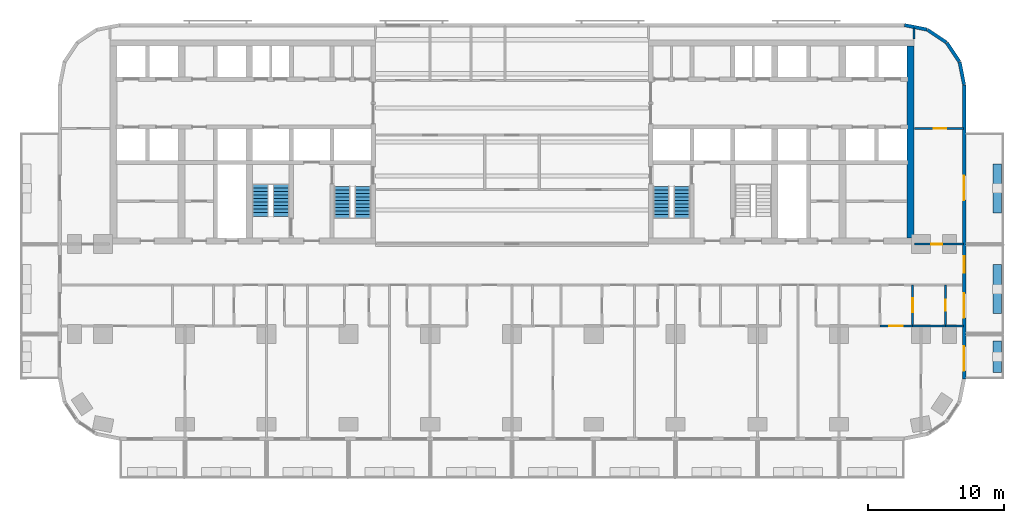
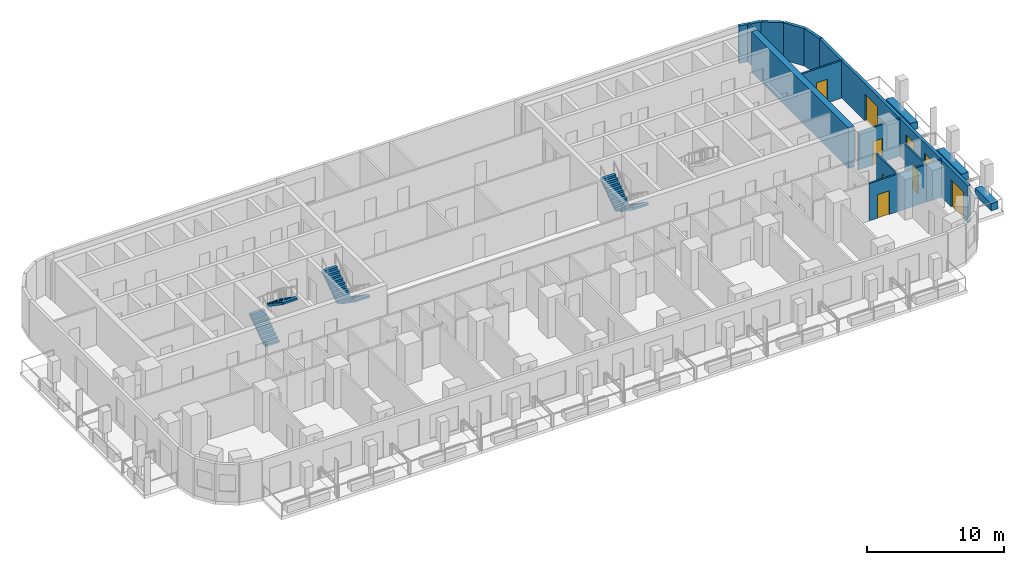
# One storey, part 9 of 15: 17 walls, 8 doors, 6 stair flights, 1 window, 9 openings, 3 elements without a shape of their own.
"""IFC4 building model written with IfcOpenShell, lengths in metres."""

from ifc_helpers import new_model, si_unit, direction, frame, frame_2d, origin, place, context, subcontext, project, spatial, polyline, rectangle, outline, extrude, material, layer, layer_set, type_object, element, fill, aggregate, save


model = new_model("IFC4")

# Units and contexts
model_context = context("Model", 3, precision=1e-05, world=origin(), true_north=direction((0.0, 1.0)))
body_context = subcontext(model_context, "Body", "Model", "MODEL_VIEW")
ifc_project = project(units=[si_unit("LENGTHUNIT", "METRE"), si_unit("AREAUNIT", "SQUARE_METRE"), si_unit("VOLUMEUNIT", "CUBIC_METRE"), si_unit("PLANEANGLEUNIT", "RADIAN"), si_unit("MASSUNIT", "GRAM", prefix="KILO")], contexts=[model_context])

# Site, building, storey
site_placement = place(None, origin())
site = spatial("IfcSite", under=ifc_project, at=site_placement, CompositionType="ELEMENT")
building_placement = place(site_placement, origin())
building = spatial("IfcBuilding", under=site, at=building_placement, Name="Torana Hotel and Residences", CompositionType="ELEMENT")
storey_placement = place(building_placement, frame((0.0, 0.0, 67.199951171875)))
storey = spatial("IfcBuildingStorey", under=building, at=storey_placement, Name="L16", CompositionType="ELEMENT", Elevation=67.199951171875)

# Walls
ifc_material_1 = material(Name="Concrete C80/95", Category="concrete")
ifc_layer_1 = layer(ifc_material_1, 0.5)
ifc_layer_set_1 = layer_set([ifc_layer_1], Name="CORE WALL 500 C80/95")
wall_type_1 = type_object("IfcWallType", Name="CORE WALL 500 C80/95", PredefinedType="SHEAR", material=ifc_layer_set_1)
wall_1_placement = place(storey_placement, frame((29.25, -14.550048828125, 0.0), z_axis=(0.0, 0.0, 1.0), x_axis=(0.0, 1.0, 0.0)))
element("IfcWall", 1, at=wall_1_placement, inside=storey, type_object=wall_type_1, Name="Core wall E outer", PredefinedType="SHEAR", context=body_context, shape_type="SweptSolid", body=[
    extrude(rectangle(XDim=14.10009765625, YDim=0.5, at=frame_2d((7.050048828125, 0.0))), origin(), (0.0, 0.0, 1.0), 3.60009765625),
])
ifc_material_2 = material(Name="Black aluminium composite panel", Category="aluminium")
ifc_layer_2 = layer(ifc_material_2, 0.00390625, Name="Cladding", Category="cladding")
ifc_material_3 = material(Name="Ventilated air cavity")
ifc_layer_3 = layer(ifc_material_3, 0.0400390625, Name="Ventilated cavity", Category="cavity")
ifc_material_4 = material(Name="Mineral wool insulation")
ifc_layer_4 = layer(ifc_material_4, 0.090087890625, Name="Insulation", Category="insulation")
ifc_material_5 = material(Name="Steel S280GD", Category="steel")
ifc_layer_5 = layer(ifc_material_5, 0.092041015625, Name="Steel stud frame", Category="structure")
ifc_material_6 = material(Name="Fire rated plasterboard")
ifc_layer_6 = layer(ifc_material_6, 0.011962890625, Name="Inner board", Category="finish")
ifc_layer_7 = layer(ifc_material_6, 0.011962890625, Name="Second board", Category="finish")
ifc_layer_set_2 = layer_set([ifc_layer_2, ifc_layer_3, ifc_layer_4, ifc_layer_5, ifc_layer_6, ifc_layer_7], Name="EW1 EXTERNAL WALL BLACK METAL CLAD 250")
wall_type_2 = type_object("IfcWallType", Name="EW1 EXTERNAL WALL BLACK METAL CLAD 250", PredefinedType="SOLIDWALL", material=ifc_layer_set_2)
wall_2_placement = place(storey_placement, frame((33.172607421875, -3.30029296875, 0.0), z_axis=(0.0, 0.0, 1.0), x_axis=(-0.19513878023, 0.980775640221, 0.0)))
element("IfcWall", 2, at=wall_2_placement, inside=storey, type_object=wall_type_2, Name="External wall L16 e0.0", PredefinedType="SOLIDWALL", context=body_context, shape_type="SweptSolid", body=[
    extrude(rectangle(XDim=1.681396484375, YDim=0.25, at=frame_2d((0.8408203125, 0.0))), origin(), (0.0, 0.0, 1.0), 3.320068359375),
])
for number, where, z_axis, x_axis, name in (
    (3, (32.825927734375, -1.60595703125, 0.0), (0.0, 0.0, 1.0), (-0.55555029066, 0.831482937015, 0.0), "External wall L16 e0.1"),
    (4, (31.87109375, -0.1943359375, 0.0), (0.0, 0.0, 1.0), (-0.831482937015, 0.55555029066, 0.0), "External wall L16 e0.2"),
):
    element("IfcWall", number, at=place(storey_placement, frame(where, z_axis=z_axis, x_axis=x_axis)), inside=storey, type_object=wall_type_2, Name=name, PredefinedType="SOLIDWALL", context=body_context, shape_type="SweptSolid", body=[
        extrude(rectangle(XDim=1.65625, YDim=0.25, at=frame_2d((0.828125, 0.0))), origin(), (0.0, 0.0, 1.0), 3.320068359375),
    ])
wall_3_placement = place(storey_placement, frame((30.448974609375, 0.74462890625, 0.0), z_axis=(0.0, 0.0, 1.0), x_axis=(-0.980803419081, 0.194999110559, 0.0)))
element("IfcWall", 5, at=wall_3_placement, inside=storey, type_object=wall_type_2, Name="External wall L16 e0.3", PredefinedType="SOLIDWALL", context=body_context, shape_type="SweptSolid", body=[
    extrude(rectangle(XDim=1.681396484375, YDim=0.25, at=frame_2d((0.8408203125, 0.0))), origin(), (0.0, 0.0, 1.0), 3.320068359375),
])

# Wall, openings, doors, window
wall_4_placement = place(storey_placement, frame((33.175048828125, -24.87548828125, 0.0), z_axis=(0.0, 0.0, 1.0), x_axis=(0.0, 1.0, 0.0)))
wall_4 = element("IfcWall", 6, at=wall_4_placement, inside=storey, type_object=wall_type_2, Name="External wall L16 e0.19", PredefinedType="SOLIDWALL", context=body_context, shape_type="SweptSolid", body=[
    extrude(rectangle(XDim=21.55078125, YDim=0.25, at=frame_2d((10.775390625, 0.0))), origin(), (0.0, 0.0, 1.0), 3.320068359375),
])
opening_1_placement = place(wall_4_placement, frame((0.575439453125, 0.0, 0.0)))
opening_1 = element("IfcOpeningElement", 7, at=opening_1_placement, cuts=wall_4, Name="Opening L16-E11", PredefinedType="OPENING", context=body_context, shape_type="SweptSolid", body=[
    extrude(rectangle(XDim=1.800048828125, YDim=2.39990234375, at=frame_2d((0.89990234375, 1.199951171875))), frame((0.0, 0.135009765625, 0.0), z_axis=(0.0, -1.0, 0.0), x_axis=(1.0, 0.0, 0.0)), (0.0, 0.0, 1.0), 0.27001953125),
])
opening_2_placement = place(wall_4_placement, frame((4.475341796875, 0.0, 0.0)))
opening_2 = element("IfcOpeningElement", 8, at=opening_2_placement, cuts=wall_4, Name="Opening L16-E12", PredefinedType="OPENING", context=body_context, shape_type="SweptSolid", body=[
    extrude(rectangle(XDim=1.800048828125, YDim=2.39990234375, at=frame_2d((0.89990234375, 1.199951171875))), frame((0.0, 0.135009765625, 0.0), z_axis=(0.0, -1.0, 0.0), x_axis=(1.0, 0.0, 0.0)), (0.0, 0.0, 1.0), 0.27001953125),
])
opening_3_placement = place(wall_4_placement, frame((7.775390625, 0.0, 0.300048828125)))
opening_3 = element("IfcOpeningElement", 9, at=opening_3_placement, cuts=wall_4, Name="Opening W7", PredefinedType="OPENING", context=body_context, shape_type="SweptSolid", body=[
    extrude(rectangle(XDim=1.199951171875, YDim=2.10009765625, at=frame_2d((0.60009765625, 1.050048828125))), frame((0.0, 0.135009765625, 0.0), z_axis=(0.0, -1.0, 0.0), x_axis=(1.0, 0.0, 0.0)), (0.0, 0.0, 1.0), 0.27001953125),
])
opening_4_placement = place(wall_4_placement, frame((13.100341796875, 0.0, 0.0)))
opening_4 = element("IfcOpeningElement", 10, at=opening_4_placement, cuts=wall_4, Name="Opening L16-E13", PredefinedType="OPENING", context=body_context, shape_type="SweptSolid", body=[
    extrude(rectangle(XDim=1.800048828125, YDim=2.39990234375, at=frame_2d((0.89990234375, 1.199951171875))), frame((0.0, 0.135009765625, 0.0), z_axis=(0.0, -1.0, 0.0), x_axis=(1.0, 0.0, 0.0)), (0.0, 0.0, 1.0), 0.27001953125),
])
ifc_material_7 = material(Name="Dark glass in black aluminium frame", Category="aluminium")
door_type_1 = type_object("IfcDoorType", Name="DB1 BALCONY DOOR 1800x2400", OperationType="DOUBLE_DOOR_SINGLE_SWING", PredefinedType="DOOR", material=ifc_material_7)
door_1_placement = place(opening_1_placement, origin())
door_1 = element("IfcDoor", 11, at=door_1_placement, inside=storey, type_object=door_type_1, Name="Balcony door L16", OperationType="DOUBLE_DOOR_SINGLE_SWING", OverallHeight=2.39990234375, OverallWidth=1.800048828125, PredefinedType="DOOR", context=body_context, shape_type="SweptSolid", body=[
    extrude(rectangle(XDim=1.800048828125, YDim=2.39990234375, at=frame_2d((0.89990234375, 1.199951171875))), frame((0.0, 0.02490234375, 0.0), z_axis=(0.0, -1.0, 0.0), x_axis=(1.0, 0.0, 0.0)), (0.0, 0.0, 1.0), 0.050048828125),
])
fill(opening_1, door_1)
door_2_placement = place(opening_2_placement, origin())
door_2 = element("IfcDoor", 12, at=door_2_placement, inside=storey, type_object=door_type_1, Name="Balcony door L16", OperationType="DOUBLE_DOOR_SINGLE_SWING", OverallHeight=2.39990234375, OverallWidth=1.800048828125, PredefinedType="DOOR", context=body_context, shape_type="SweptSolid", body=[
    extrude(rectangle(XDim=1.800048828125, YDim=2.39990234375, at=frame_2d((0.89990234375, 1.199951171875))), frame((0.0, 0.02490234375, 0.0), z_axis=(0.0, -1.0, 0.0), x_axis=(1.0, 0.0, 0.0)), (0.0, 0.0, 1.0), 0.050048828125),
])
fill(opening_2, door_2)
door_3_placement = place(opening_4_placement, origin())
door_3 = element("IfcDoor", 13, at=door_3_placement, inside=storey, type_object=door_type_1, Name="Balcony door L16", OperationType="DOUBLE_DOOR_SINGLE_SWING", OverallHeight=2.39990234375, OverallWidth=1.800048828125, PredefinedType="DOOR", context=body_context, shape_type="SweptSolid", body=[
    extrude(rectangle(XDim=1.800048828125, YDim=2.39990234375, at=frame_2d((0.89990234375, 1.199951171875))), frame((0.0, 0.02490234375, 0.0), z_axis=(0.0, -1.0, 0.0), x_axis=(1.0, 0.0, 0.0)), (0.0, 0.0, 1.0), 0.050048828125),
])
fill(opening_4, door_3)
ifc_material_8 = material(Name="Dark glass in black aluminium frame", Category="aluminium")
window_type = type_object("IfcWindowType", Name="W7 HOTEL CORRIDOR WINDOW 1200x2100", PartitioningType="SINGLE_PANEL", PredefinedType="WINDOW", material=ifc_material_8)
window_placement = place(opening_3_placement, origin())
window = element("IfcWindow", 14, at=window_placement, inside=storey, type_object=window_type, Name="Window L16", OverallHeight=2.10009765625, OverallWidth=1.199951171875, PartitioningType="SINGLE_PANEL", PredefinedType="WINDOW", context=body_context, shape_type="SweptSolid", body=[
    extrude(rectangle(XDim=1.199951171875, YDim=2.10009765625, at=frame_2d((0.60009765625, 1.050048828125))), frame((0.0, 0.030029296875, 0.0), z_axis=(0.0, -1.0, 0.0), x_axis=(1.0, 0.0, 0.0)), (0.0, 0.0, 1.0), 0.06005859375),
])
fill(opening_3, window)

# Wall, opening, door
ifc_material_9 = material(Name="Gypsum plaster")
ifc_layer_8 = layer(ifc_material_9, 0.014892578125, Name="Plaster", Category="finish")
ifc_material_10 = material(Name="Concrete blockwork", Category="masonry")
ifc_layer_9 = layer(ifc_material_10, 0.1201171875, Name="Blockwork", Category="structure")
ifc_layer_10 = layer(ifc_material_9, 0.014892578125, Name="Plaster", Category="finish")
ifc_layer_set_3 = layer_set([ifc_layer_8, ifc_layer_9, ifc_layer_10], Name="FIRE PARTITION 150 BLOCKWORK")
wall_type_3 = type_object("IfcWallType", Name="FIRE PARTITION 150 BLOCKWORK", PredefinedType="PARTITIONING", material=ifc_layer_set_3)
wall_5_placement = place(storey_placement, frame((29.39990234375, -21.0, 0.0), z_axis=(0.0, 0.0, 1.0), x_axis=(0.0, 1.0, 0.0)))
wall_5 = element("IfcWall", 15, at=wall_5_placement, inside=storey, type_object=wall_type_3, Name="Partition L16", PredefinedType="PARTITIONING", context=body_context, shape_type="SweptSolid", body=[
    extrude(rectangle(XDim=3.0, YDim=0.14990234375, at=frame_2d((1.5, 0.0))), origin(), (0.0, 0.0, 1.0), 3.320068359375),
])
opening_5_placement = place(wall_5_placement, frame((1.02001953125, 0.0, 0.0)))
opening_5 = element("IfcOpeningElement", 16, at=opening_5_placement, cuts=wall_5, Name="Opening L16-82", PredefinedType="OPENING", context=body_context, shape_type="SweptSolid", body=[
    extrude(rectangle(XDim=1.0, YDim=2.10009765625, at=frame_2d((0.5, 1.050048828125))), frame((0.0, 0.0849609375, 0.0), z_axis=(0.0, -1.0, 0.0), x_axis=(1.0, 0.0, 0.0)), (0.0, 0.0, 1.0), 0.169921875),
])
ifc_material_11 = material(Name="Steel S235", Category="steel")
door_type_2 = type_object("IfcDoorType", Name="ENTRY FIRE DOOR D6 1000x2100", OperationType="SINGLE_SWING_LEFT", PredefinedType="DOOR", material=ifc_material_11)
door_4_placement = place(opening_5_placement, frame((0.5, 0.0, 0.0), z_axis=(0.0, 0.0, 1.0), x_axis=(-1.0, 0.0, 0.0)))
door_4 = element("IfcDoor", 17, at=door_4_placement, inside=storey, type_object=door_type_2, Name="Door L16", OperationType="SINGLE_SWING_LEFT", OverallHeight=2.10009765625, OverallWidth=1.0, PredefinedType="DOOR", context=body_context, shape_type="SweptSolid", body=[
    extrude(rectangle(XDim=1.0, YDim=2.10009765625, at=frame_2d((0.0, 1.050048828125))), frame((0.0, -0.02490234375, 0.0), z_axis=(0.0, 1.0, 0.0), x_axis=(-1.0, 0.0, 0.0)), (0.0, 0.0, 1.0), 0.050048828125),
])
fill(opening_5, door_4)

wall_6_placement = place(storey_placement, frame((27.0, -21.0, 0.0), z_axis=(0.0, 0.0, 1.0), x_axis=(1.0, 0.0, 0.0)))
wall_6 = element("IfcWall", 18, at=wall_6_placement, inside=storey, type_object=wall_type_3, Name="Partition L16", PredefinedType="PARTITIONING", context=body_context, shape_type="SweptSolid", body=[
    extrude(rectangle(XDim=2.39990234375, YDim=0.14990234375, at=frame_2d((1.199951171875, 0.0))), origin(), (0.0, 0.0, 1.0), 3.320068359375),
])
opening_6_placement = place(wall_6_placement, frame((0.679931640625, 0.0, 0.0)))
opening_6 = element("IfcOpeningElement", 19, at=opening_6_placement, cuts=wall_6, Name="Opening L16-83", PredefinedType="OPENING", context=body_context, shape_type="SweptSolid", body=[
    extrude(rectangle(XDim=1.0, YDim=2.10009765625, at=frame_2d((0.5, 1.050048828125))), frame((0.0, 0.0849609375, 0.0), z_axis=(0.0, -1.0, 0.0), x_axis=(1.0, 0.0, 0.0)), (0.0, 0.0, 1.0), 0.169921875),
])
door_5_placement = place(opening_6_placement, frame((0.5, 0.0, 0.0), z_axis=(0.0, 0.0, 1.0), x_axis=(-1.0, 0.0, 0.0)))
door_5 = element("IfcDoor", 20, at=door_5_placement, inside=storey, type_object=door_type_2, Name="Door L16", OperationType="SINGLE_SWING_RIGHT", OverallHeight=2.10009765625, OverallWidth=1.0, PredefinedType="DOOR", context=body_context, shape_type="SweptSolid", body=[
    extrude(rectangle(XDim=1.0, YDim=2.10009765625, at=frame_2d((0.0, 1.050048828125))), frame((0.0, -0.02490234375, 0.0), z_axis=(0.0, 1.0, 0.0), x_axis=(-1.0, 0.0, 0.0)), (0.0, 0.0, 1.0), 0.050048828125),
])
fill(opening_6, door_5)

wall_7_placement = place(storey_placement, frame((29.550048828125, -15.0, 0.0), z_axis=(0.0, 0.0, 1.0), x_axis=(1.0, 0.0, 0.0)))
wall_7 = element("IfcWall", 21, at=wall_7_placement, inside=storey, type_object=wall_type_3, Name="Partition L16", PredefinedType="PARTITIONING", context=body_context, shape_type="SweptSolid", body=[
    extrude(rectangle(XDim=3.570068359375, YDim=0.14990234375, at=frame_2d((1.78515625, 0.0))), origin(), (0.0, 0.0, 1.0), 3.320068359375),
])
opening_7_placement = place(wall_7_placement, frame((1.205078125, 0.0, 0.0)))
opening_7 = element("IfcOpeningElement", 22, at=opening_7_placement, cuts=wall_7, Name="Opening L16-52", PredefinedType="OPENING", context=body_context, shape_type="SweptSolid", body=[
    extrude(rectangle(XDim=0.800048828125, YDim=2.10009765625, at=frame_2d((0.39990234375, 1.050048828125))), frame((0.0, 0.0849609375, 0.0), z_axis=(0.0, -1.0, 0.0), x_axis=(1.0, 0.0, 0.0)), (0.0, 0.0, 1.0), 0.169921875),
])
ifc_material_12 = material(Name="Steel S235", Category="steel")
door_type_3 = type_object("IfcDoorType", Name="STORE FIRE DOOR D16 800x2100", OperationType="SINGLE_SWING_LEFT", PredefinedType="DOOR", material=ifc_material_12)
door_6_placement = place(opening_7_placement, origin())
door_6 = element("IfcDoor", 23, at=door_6_placement, inside=storey, type_object=door_type_3, Name="Door L16", OperationType="SINGLE_SWING_RIGHT", OverallHeight=2.10009765625, OverallWidth=0.800048828125, PredefinedType="DOOR", context=body_context, shape_type="SweptSolid", body=[
    extrude(rectangle(XDim=0.800048828125, YDim=2.10009765625, at=frame_2d((0.39990234375, 1.050048828125))), frame((0.0, 0.02490234375, 0.0), z_axis=(0.0, -1.0, 0.0), x_axis=(1.0, 0.0, 0.0)), (0.0, 0.0, 1.0), 0.050048828125),
])
fill(opening_7, door_6)

# Walls
ifc_material_13 = material(Name="Gypsum plasterboard")
ifc_layer_11 = layer(ifc_material_13, 0.012451171875, Name="Plasterboard", Category="finish")
ifc_layer_12 = layer(ifc_material_13, 0.012451171875, Name="Plasterboard", Category="finish")
ifc_layer_13 = layer(ifc_material_5, 0.10009765625, Name="Steel studs with mineral wool", Category="insulation")
ifc_layer_14 = layer(ifc_material_13, 0.012451171875, Name="Plasterboard", Category="finish")
ifc_layer_15 = layer(ifc_material_13, 0.012451171875, Name="Plasterboard", Category="finish")
ifc_layer_set_4 = layer_set([ifc_layer_11, ifc_layer_12, ifc_layer_13, ifc_layer_14, ifc_layer_15], Name="PARTITION 150 PLASTERBOARD")
wall_type_4 = type_object("IfcWallType", Name="PARTITION 150 PLASTERBOARD", PredefinedType="PARTITIONING", material=ifc_layer_set_4)
wall_8_placement = place(storey_placement, frame((29.5, 0.050048828125, 0.0), z_axis=(0.0, 0.0, 1.0), x_axis=(0.0, 1.0, 0.0)))
element("IfcWall", 24, at=wall_8_placement, inside=storey, type_object=wall_type_4, Name="Partition L16", PredefinedType="PARTITIONING", context=body_context, shape_type="SweptSolid", body=[
    extrude(rectangle(XDim=0.8271484375, YDim=0.14990234375, at=frame_2d((0.41357421875, 0.0))), origin(), (0.0, 0.0, 1.0), 3.320068359375),
])
wall_9_placement = place(storey_placement, frame((29.39990234375, -21.0, 0.0), z_axis=(0.0, 0.0, 1.0), x_axis=(1.0, 0.0, 0.0)))
element("IfcWall", 25, at=wall_9_placement, inside=storey, type_object=wall_type_4, Name="Partition L16", PredefinedType="PARTITIONING", context=body_context, shape_type="SweptSolid", body=[
    extrude(rectangle(XDim=2.400146484375, YDim=0.14990234375, at=frame_2d((1.2001953125, 0.0))), origin(), (0.0, 0.0, 1.0), 3.320068359375),
])

# Wall, opening, door
wall_10_placement = place(storey_placement, frame((29.550048828125, -6.5, 0.0), z_axis=(0.0, 0.0, 1.0), x_axis=(1.0, 0.0, 0.0)))
wall_10 = element("IfcWall", 26, at=wall_10_placement, inside=storey, type_object=wall_type_4, Name="Partition L16", PredefinedType="PARTITIONING", context=body_context, shape_type="SweptSolid", body=[
    extrude(rectangle(XDim=3.570068359375, YDim=0.14990234375, at=frame_2d((1.78515625, 0.0))), origin(), (0.0, 0.0, 1.0), 3.320068359375),
])
opening_8_placement = place(wall_10_placement, frame((1.39990234375, 0.0, 0.0)))
opening_8 = element("IfcOpeningElement", 27, at=opening_8_placement, cuts=wall_10, Name="Opening L16-87", PredefinedType="OPENING", context=body_context, shape_type="SweptSolid", body=[
    extrude(rectangle(XDim=0.89990234375, YDim=2.10009765625, at=frame_2d((0.449951171875, 1.050048828125))), frame((0.0, 0.0849609375, 0.0), z_axis=(0.0, -1.0, 0.0), x_axis=(1.0, 0.0, 0.0)), (0.0, 0.0, 1.0), 0.169921875),
])
ifc_material_14 = material(Name="Timber door, oiled ash", Category="wood")
door_type_4 = type_object("IfcDoorType", Name="ROOM DOOR D7 900x2100", OperationType="SINGLE_SWING_LEFT", PredefinedType="DOOR", material=ifc_material_14)
door_7_placement = place(opening_8_placement, origin())
door_7 = element("IfcDoor", 28, at=door_7_placement, inside=storey, type_object=door_type_4, Name="Door L16", OperationType="SINGLE_SWING_LEFT", OverallHeight=2.10009765625, OverallWidth=0.89990234375, PredefinedType="DOOR", context=body_context, shape_type="SweptSolid", body=[
    extrude(rectangle(XDim=0.89990234375, YDim=2.10009765625, at=frame_2d((0.449951171875, 1.050048828125))), frame((0.0, 0.02490234375, 0.0), z_axis=(0.0, -1.0, 0.0), x_axis=(1.0, 0.0, 0.0)), (0.0, 0.0, 1.0), 0.050048828125),
])
fill(opening_8, door_7)

# Walls
ifc_material_15 = material(Name="Concrete C40/50 precast", Category="concrete")
ifc_layer_16 = layer(ifc_material_15, 0.10009765625, Name="Planter shell", Category="structure")
ifc_material_16 = material(Name="Root resistant membrane")
ifc_layer_17 = layer(ifc_material_16, 0.00390625, Name="Waterproofing membrane", Category="membrane")
ifc_material_17 = material(Name="Drainage board with filter fleece")
ifc_layer_18 = layer(ifc_material_17, 0.02001953125, Name="Drainage board", Category="drainage")
ifc_material_18 = material(Name="Growing medium")
ifc_layer_19 = layer(ifc_material_18, 0.47607421875, Name="Planting substrate", Category="soil")
ifc_layer_set_5 = layer_set([ifc_layer_16, ifc_layer_17, ifc_layer_18, ifc_layer_19], Name="PL1 BALCONY PLANTER 600")
wall_type_5 = type_object("IfcWallType", Name="PL1 BALCONY PLANTER 600", PredefinedType="USERDEFINED", material=ifc_layer_set_5)
wall_11_placement = place(storey_placement, frame((35.60009765625, -22.10009765625, 0.0), z_axis=(0.0, 0.0, 1.0), x_axis=(0.0, -1.0, 0.0)))
element("IfcWall", 29, at=wall_11_placement, inside=storey, type_object=wall_type_5, Name="Planter 14", ObjectType="PLANTER", PredefinedType="USERDEFINED", context=body_context, shape_type="SweptSolid", body=[
    extrude(rectangle(XDim=2.2998046875, YDim=0.60009765625, at=frame_2d((1.14990234375, 0.0))), origin(), (0.0, 0.0, 1.0), 0.650146484375),
])
wall_12_placement = place(storey_placement, frame((35.60009765625, -16.5, 0.0), z_axis=(0.0, 0.0, 1.0), x_axis=(0.0, -1.0, 0.0)))
element("IfcWall", 30, at=wall_12_placement, inside=storey, type_object=wall_type_5, Name="Planter 15", ObjectType="PLANTER", PredefinedType="USERDEFINED", context=body_context, shape_type="SweptSolid", body=[
    extrude(rectangle(XDim=3.60009765625, YDim=0.60009765625, at=frame_2d((1.800048828125, 0.0))), origin(), (0.0, 0.0, 1.0), 0.650146484375),
])
wall_13_placement = place(storey_placement, frame((35.60009765625, -9.10009765625, 0.0), z_axis=(0.0, 0.0, 1.0), x_axis=(0.0, -1.0, 0.0)))
element("IfcWall", 31, at=wall_13_placement, inside=storey, type_object=wall_type_5, Name="Planter 16", ObjectType="PLANTER", PredefinedType="USERDEFINED", context=body_context, shape_type="SweptSolid", body=[
    extrude(rectangle(XDim=3.599853515625, YDim=0.60009765625, at=frame_2d((1.7998046875, 0.0))), origin(), (0.0, 0.0, 1.0), 0.650146484375),
])

# Wall, opening, door
ifc_material_19 = material(Name="Ceramic tile on adhesive")
ifc_layer_20 = layer(ifc_material_19, 0.010009765625, Name="Wall tile", Category="finish")
ifc_material_20 = material(Name="Cement render")
ifc_layer_21 = layer(ifc_material_20, 0.010009765625, Name="Render", Category="finish")
ifc_layer_22 = layer(ifc_material_10, 0.110107421875, Name="Blockwork", Category="structure")
ifc_layer_23 = layer(ifc_material_20, 0.010009765625, Name="Render", Category="finish")
ifc_layer_24 = layer(ifc_material_19, 0.010009765625, Name="Wall tile", Category="finish")
ifc_layer_set_6 = layer_set([ifc_layer_20, ifc_layer_21, ifc_layer_22, ifc_layer_23, ifc_layer_24], Name="WC PARTITION 150")
wall_type_6 = type_object("IfcWallType", Name="WC PARTITION 150", PredefinedType="PLUMBINGWALL", material=ifc_layer_set_6)
wall_14_placement = place(storey_placement, frame((31.800048828125, -21.0, 0.0), z_axis=(0.0, 0.0, 1.0), x_axis=(0.0, 1.0, 0.0)))
wall_14 = element("IfcWall", 32, at=wall_14_placement, inside=storey, type_object=wall_type_6, Name="Partition L16", PredefinedType="PLUMBINGWALL", context=body_context, shape_type="SweptSolid", body=[
    extrude(rectangle(XDim=3.0, YDim=0.14990234375, at=frame_2d((1.5, 0.0))), origin(), (0.0, 0.0, 1.0), 3.320068359375),
])
opening_9_placement = place(wall_14_placement, frame((1.1201171875, 0.0, 0.0)))
opening_9 = element("IfcOpeningElement", 33, at=opening_9_placement, cuts=wall_14, Name="Opening L16-84", PredefinedType="OPENING", context=body_context, shape_type="SweptSolid", body=[
    extrude(rectangle(XDim=0.800048828125, YDim=2.10009765625, at=frame_2d((0.39990234375, 1.050048828125))), frame((0.0, 0.0849609375, 0.0), z_axis=(0.0, -1.0, 0.0), x_axis=(1.0, 0.0, 0.0)), (0.0, 0.0, 1.0), 0.169921875),
])
ifc_material_21 = material(Name="Timber door, painted", Category="wood")
door_type_5 = type_object("IfcDoorType", Name="BATH DOOR D13 800x2100", OperationType="SINGLE_SWING_LEFT", PredefinedType="DOOR", material=ifc_material_21)
door_8_placement = place(opening_9_placement, origin())
door_8 = element("IfcDoor", 34, at=door_8_placement, inside=storey, type_object=door_type_5, Name="Door L16", OperationType="SINGLE_SWING_RIGHT", OverallHeight=2.10009765625, OverallWidth=0.800048828125, PredefinedType="DOOR", context=body_context, shape_type="SweptSolid", body=[
    extrude(rectangle(XDim=0.800048828125, YDim=2.10009765625, at=frame_2d((0.39990234375, 1.050048828125))), frame((0.0, 0.02490234375, 0.0), z_axis=(0.0, -1.0, 0.0), x_axis=(1.0, 0.0, 0.0)), (0.0, 0.0, 1.0), 0.050048828125),
])
fill(opening_9, door_8)

# Wall
wall_15_placement = place(storey_placement, frame((31.800048828125, -21.0, 0.0), z_axis=(0.0, 0.0, 1.0), x_axis=(1.0, 0.0, 0.0)))
element("IfcWall", 35, at=wall_15_placement, inside=storey, type_object=wall_type_6, Name="Partition L16", PredefinedType="PLUMBINGWALL", context=body_context, shape_type="SweptSolid", body=[
    extrude(rectangle(XDim=1.320068359375, YDim=0.14990234375, at=frame_2d((0.66015625, 0.0))), origin(), (0.0, 0.0, 1.0), 3.320068359375),
])

# Stair, stair flights
ifc_material_22 = material(Name="Concrete C40/50 precast", Category="concrete")
stair_type_1 = type_object("IfcStairType", Name="STAIR ST1 HALF TURN 1200", PredefinedType="HALF_TURN_STAIR", material=ifc_material_22)
stair_1_placement = place(storey_placement, origin())
stair_1 = element("IfcStair", 36, at=stair_1_placement, inside=storey, type_object=stair_type_1, Name="Stair ST1 L16", PredefinedType="HALF_TURN_STAIR")
ifc_material_23 = material(Name="Concrete C40/50 precast", Category="concrete")
stair_flight_type = type_object("IfcStairFlightType", Name="STAIR FLIGHT 1200 PRECAST", PredefinedType="STRAIGHT", material=ifc_material_23)
stair_flight_1_placement = place(storey_placement, frame((-10.949951171875, -10.75, 0.0), z_axis=(0.0, 0.0, 1.0), x_axis=(0.0, -1.0, 0.0)))
stair_flight_1 = element("IfcStairFlight", 37, at=stair_flight_1_placement, type_object=stair_flight_type, Name="ST1 flight 1", NumberOfRisers=10, NumberOfTreads=9, PredefinedType="STRAIGHT", RiserHeight=0.18, TreadLength=0.26, context=body_context, shape_type="SweptSolid", body=[
    extrude(outline(polyline([(0.0, 0.0), (0.0, 0.179931640625), (0.260009765625, 0.179931640625), (0.260009765625, 0.360107421875), (0.52001953125, 0.360107421875), (0.52001953125, 0.5400390625), (0.780029296875, 0.5400390625), (0.780029296875, 0.719970703125), (1.0400390625, 0.719970703125), (1.0400390625, 0.89990234375), (1.300048828125, 0.89990234375), (1.300048828125, 1.080078125), (1.56005859375, 1.080078125), (1.56005859375, 1.260009765625), (1.820068359375, 1.260009765625), (1.820068359375, 1.43994140625), (2.080078125, 1.43994140625), (2.080078125, 1.6201171875), (2.340087890625, 1.6201171875), (2.340087890625, 1.800048828125), (2.340087890625, 1.437744140625), (0.263427734375, 0.0), (0.0, 0.0)])), frame((0.0, 0.60009765625, 0.0), z_axis=(0.0, -1.0, 0.0), x_axis=(1.0, 0.0, 0.0)), (0.0, 0.0, 1.0), 1.199951171875),
])
stair_flight_2_placement = place(storey_placement, frame((-12.449951171875, -13.090087890625, 1.800048828125), z_axis=(0.0, 0.0, 1.0), x_axis=(0.0, 1.0, 0.0)))
stair_flight_2 = element("IfcStairFlight", 38, at=stair_flight_2_placement, type_object=stair_flight_type, Name="ST1 flight 2", NumberOfRisers=10, NumberOfTreads=9, PredefinedType="STRAIGHT", RiserHeight=0.18, TreadLength=0.26, context=body_context, shape_type="SweptSolid", body=[
    extrude(outline(polyline([(0.0, 0.0), (0.0, 0.179931640625), (0.260009765625, 0.179931640625), (0.260009765625, 0.360107421875), (0.52001953125, 0.360107421875), (0.52001953125, 0.5400390625), (0.780029296875, 0.5400390625), (0.780029296875, 0.719970703125), (1.0400390625, 0.719970703125), (1.0400390625, 0.89990234375), (1.300048828125, 0.89990234375), (1.300048828125, 1.080078125), (1.56005859375, 1.080078125), (1.56005859375, 1.260009765625), (1.820068359375, 1.260009765625), (1.820068359375, 1.43994140625), (2.080078125, 1.43994140625), (2.080078125, 1.6201171875), (2.340087890625, 1.6201171875), (2.340087890625, 1.800048828125), (2.340087890625, 1.437744140625), (0.263427734375, 0.0), (0.0, 0.0)])), frame((0.0, 0.60009765625, 0.0), z_axis=(0.0, -1.0, 0.0), x_axis=(1.0, 0.0, 0.0)), (0.0, 0.0, 1.0), 1.199951171875),
])
aggregate(stair_1, [stair_flight_1, stair_flight_2])

ifc_material_24 = material(Name="Concrete C40/50 precast", Category="concrete")
stair_type_2 = type_object("IfcStairType", Name="STAIR ST2 HALF TURN 1200", PredefinedType="HALF_TURN_STAIR", material=ifc_material_24)
stair_2_placement = place(storey_placement, origin())
stair_2 = element("IfcStair", 39, at=stair_2_placement, inside=storey, type_object=stair_type_2, Name="Stair ST2 L16", PredefinedType="HALF_TURN_STAIR")
stair_flight_3_placement = place(storey_placement, frame((-18.449951171875, -12.949951171875, 0.0), z_axis=(0.0, 0.0, 1.0), x_axis=(0.0, 1.0, 0.0)))
stair_flight_3 = element("IfcStairFlight", 40, at=stair_flight_3_placement, type_object=stair_flight_type, Name="ST2 flight 1", NumberOfRisers=10, NumberOfTreads=9, PredefinedType="STRAIGHT", RiserHeight=0.18, TreadLength=0.26, context=body_context, shape_type="SweptSolid", body=[
    extrude(outline(polyline([(0.0, 0.0), (0.0, 0.179931640625), (0.260009765625, 0.179931640625), (0.260009765625, 0.360107421875), (0.52001953125, 0.360107421875), (0.52001953125, 0.5400390625), (0.780029296875, 0.5400390625), (0.780029296875, 0.719970703125), (1.0400390625, 0.719970703125), (1.0400390625, 0.89990234375), (1.300048828125, 0.89990234375), (1.300048828125, 1.080078125), (1.56005859375, 1.080078125), (1.56005859375, 1.260009765625), (1.820068359375, 1.260009765625), (1.820068359375, 1.43994140625), (2.080078125, 1.43994140625), (2.080078125, 1.6201171875), (2.340087890625, 1.6201171875), (2.340087890625, 1.800048828125), (2.340087890625, 1.437744140625), (0.263427734375, 0.0), (0.0, 0.0)])), frame((0.0, 0.60009765625, 0.0), z_axis=(0.0, -1.0, 0.0), x_axis=(1.0, 0.0, 0.0)), (0.0, 0.0, 1.0), 1.199951171875),
])
stair_flight_4_placement = place(storey_placement, frame((-16.949951171875, -10.610107421875, 1.800048828125), z_axis=(0.0, 0.0, 1.0), x_axis=(0.0, -1.0, 0.0)))
stair_flight_4 = element("IfcStairFlight", 41, at=stair_flight_4_placement, type_object=stair_flight_type, Name="ST2 flight 2", NumberOfRisers=10, NumberOfTreads=9, PredefinedType="STRAIGHT", RiserHeight=0.18, TreadLength=0.26, context=body_context, shape_type="SweptSolid", body=[
    extrude(outline(polyline([(0.0, 0.0), (0.0, 0.179931640625), (0.260009765625, 0.179931640625), (0.260009765625, 0.360107421875), (0.52001953125, 0.360107421875), (0.52001953125, 0.5400390625), (0.780029296875, 0.5400390625), (0.780029296875, 0.719970703125), (1.0400390625, 0.719970703125), (1.0400390625, 0.89990234375), (1.300048828125, 0.89990234375), (1.300048828125, 1.080078125), (1.56005859375, 1.080078125), (1.56005859375, 1.260009765625), (1.820068359375, 1.260009765625), (1.820068359375, 1.43994140625), (2.080078125, 1.43994140625), (2.080078125, 1.6201171875), (2.340087890625, 1.6201171875), (2.340087890625, 1.800048828125), (2.340087890625, 1.437744140625), (0.263427734375, 0.0), (0.0, 0.0)])), frame((0.0, 0.60009765625, 0.0), z_axis=(0.0, -1.0, 0.0), x_axis=(1.0, 0.0, 0.0)), (0.0, 0.0, 1.0), 1.199951171875),
])
aggregate(stair_2, [stair_flight_3, stair_flight_4])

ifc_material_25 = material(Name="Concrete C40/50 precast", Category="concrete")
stair_type_3 = type_object("IfcStairType", Name="STAIR ST3 HALF TURN 1200", PredefinedType="HALF_TURN_STAIR", material=ifc_material_25)
stair_3_placement = place(storey_placement, origin())
stair_3 = element("IfcStair", 42, at=stair_3_placement, inside=storey, type_object=stair_type_3, Name="Stair ST3 L16", PredefinedType="HALF_TURN_STAIR")
stair_flight_5_placement = place(storey_placement, frame((12.449951171875, -10.75, 0.0), z_axis=(0.0, 0.0, 1.0), x_axis=(0.0, -1.0, 0.0)))
stair_flight_5 = element("IfcStairFlight", 43, at=stair_flight_5_placement, type_object=stair_flight_type, Name="ST3 flight 1", NumberOfRisers=10, NumberOfTreads=9, PredefinedType="STRAIGHT", RiserHeight=0.18, TreadLength=0.26, context=body_context, shape_type="SweptSolid", body=[
    extrude(outline(polyline([(0.0, 0.0), (0.0, 0.179931640625), (0.260009765625, 0.179931640625), (0.260009765625, 0.360107421875), (0.52001953125, 0.360107421875), (0.52001953125, 0.5400390625), (0.780029296875, 0.5400390625), (0.780029296875, 0.719970703125), (1.0400390625, 0.719970703125), (1.0400390625, 0.89990234375), (1.300048828125, 0.89990234375), (1.300048828125, 1.080078125), (1.56005859375, 1.080078125), (1.56005859375, 1.260009765625), (1.820068359375, 1.260009765625), (1.820068359375, 1.43994140625), (2.080078125, 1.43994140625), (2.080078125, 1.6201171875), (2.340087890625, 1.6201171875), (2.340087890625, 1.800048828125), (2.340087890625, 1.437744140625), (0.263427734375, 0.0), (0.0, 0.0)])), frame((0.0, 0.60009765625, 0.0), z_axis=(0.0, -1.0, 0.0), x_axis=(1.0, 0.0, 0.0)), (0.0, 0.0, 1.0), 1.199951171875),
])
stair_flight_6_placement = place(storey_placement, frame((10.949951171875, -13.090087890625, 1.800048828125), z_axis=(0.0, 0.0, 1.0), x_axis=(0.0, 1.0, 0.0)))
stair_flight_6 = element("IfcStairFlight", 44, at=stair_flight_6_placement, type_object=stair_flight_type, Name="ST3 flight 2", NumberOfRisers=10, NumberOfTreads=9, PredefinedType="STRAIGHT", RiserHeight=0.18, TreadLength=0.26, context=body_context, shape_type="SweptSolid", body=[
    extrude(outline(polyline([(0.0, 0.0), (0.0, 0.179931640625), (0.260009765625, 0.179931640625), (0.260009765625, 0.360107421875), (0.52001953125, 0.360107421875), (0.52001953125, 0.5400390625), (0.780029296875, 0.5400390625), (0.780029296875, 0.719970703125), (1.0400390625, 0.719970703125), (1.0400390625, 0.89990234375), (1.300048828125, 0.89990234375), (1.300048828125, 1.080078125), (1.56005859375, 1.080078125), (1.56005859375, 1.260009765625), (1.820068359375, 1.260009765625), (1.820068359375, 1.43994140625), (2.080078125, 1.43994140625), (2.080078125, 1.6201171875), (2.340087890625, 1.6201171875), (2.340087890625, 1.800048828125), (2.340087890625, 1.437744140625), (0.263427734375, 0.0), (0.0, 0.0)])), frame((0.0, 0.60009765625, 0.0), z_axis=(0.0, -1.0, 0.0), x_axis=(1.0, 0.0, 0.0)), (0.0, 0.0, 1.0), 1.199951171875),
])
aggregate(stair_3, [stair_flight_5, stair_flight_6])

save(model, "model.ifc")
